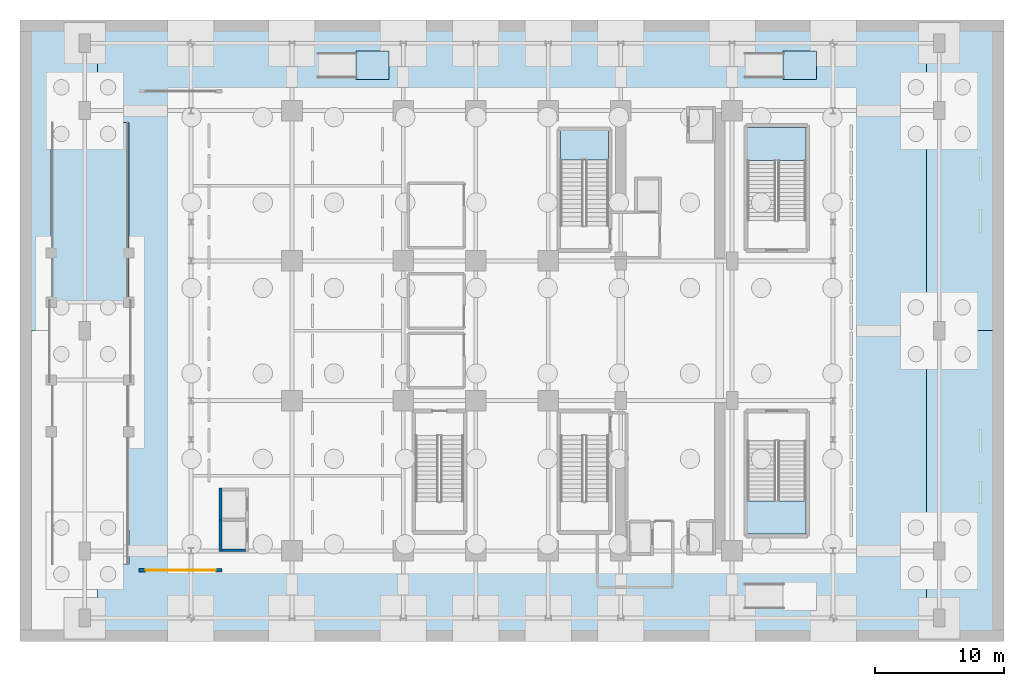
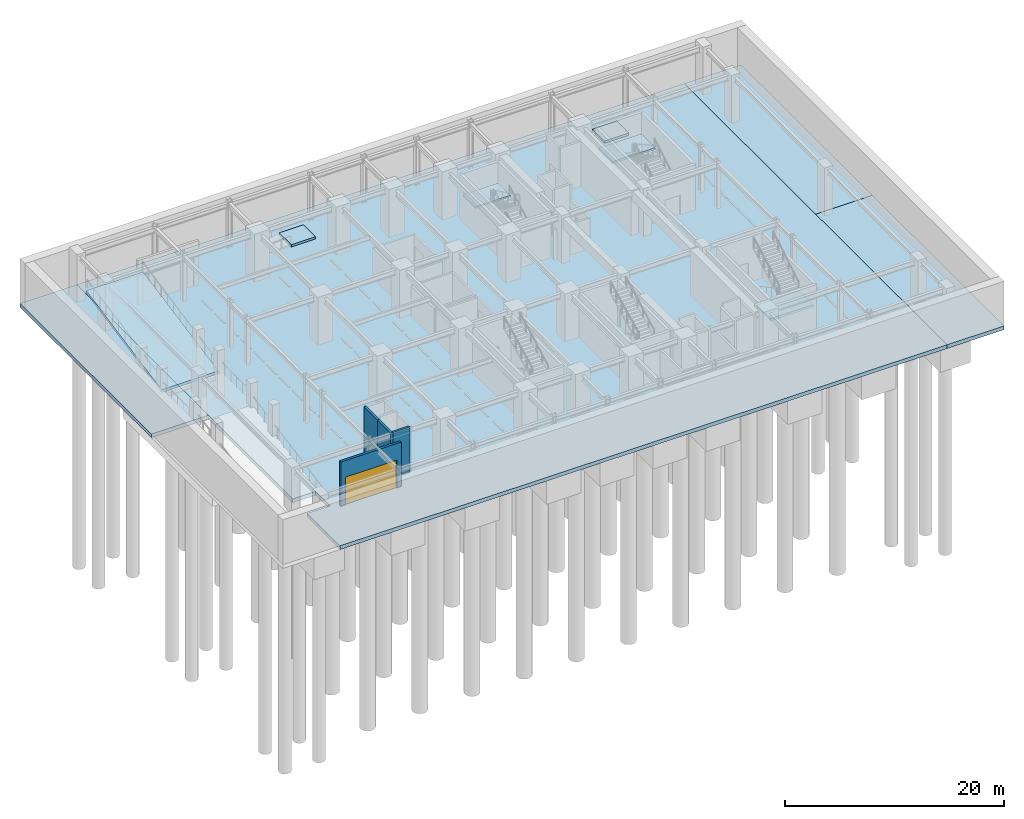
# One storey, part 5 of 14: 10 slabs, 4 walls, 1 door, 1 opening, 3 elements without a shape of their own.
"""IFC4 building model written with IfcOpenShell, lengths in metres."""

import ifcopenshell
import ifcopenshell.guid

model = None  # the IFC model being written
_history = None  # IfcOwnerHistory: only IFC2X3 demands one
_inside = {}  # id of a spatial element -> (the spatial element, [elements in it])
_under = {}  # id of a project, library or spatial element -> (it, [spatial elements below it])
_declared = {}  # id of a project -> (the project, [libraries it declares])
_typed = {}  # id of a type object -> (the type object, [elements of that type])
_made_of = {}  # id of a material, layer set ... -> (it, [elements and type objects made of it])


def new_model(schema):
    """Start an empty IFC model of exactly this schema.

    Asked for "IFC4X3", IfcOpenShell would pick the latest addendum, in which some entities
    have other attributes; the version numbers below select the first issue.
    IFC2X3 requires an IfcOwnerHistory on every rooted entity: one is made here for all.
    """
    global model, _history
    if schema == "IFC4X3":
        model = ifcopenshell.file(schema_version=(4, 3, 0, 0))
    else:
        model = ifcopenshell.file(schema=schema)
    _inside.clear()
    _under.clear()
    _declared.clear()
    _typed.clear()
    _made_of.clear()
    _history = None
    if model.schema == "IFC2X3":
        org = make("IfcOrganization", Name="unknown")
        user = make(
            "IfcPersonAndOrganization",
            ThePerson=make("IfcPerson", FamilyName="unknown"),
            TheOrganization=org,
        )
        app = make(
            "IfcApplication",
            ApplicationDeveloper=org,
            Version="unknown",
            ApplicationFullName="unknown",
            ApplicationIdentifier="unknown",
        )
        _history = make(
            "IfcOwnerHistory",
            OwningUser=user,
            OwningApplication=app,
            ChangeAction="ADDED",
            CreationDate=0,
        )
    return model


def make(cls, **values):
    """One entity of the class cls with the attributes given. An attribute that is None is left unset."""
    return model.create_entity(
        cls, **{name: value for name, value in values.items() if value is not None}
    )


def rooted(cls, **values):
    """An entity with a GlobalId (a new one), such as an element, a storey or a relation."""
    return make(cls, GlobalId=ifcopenshell.guid.new(), OwnerHistory=_history, **values)


def si_unit(unit_type, name, prefix=None):
    """IfcSIUnit, for example si_unit("LENGTHUNIT", "METRE", prefix="MILLI")."""
    return make("IfcSIUnit", UnitType=unit_type, Prefix=prefix, Name=name)


def assignment(units):
    """IfcUnitAssignment: the units of a project."""
    return None if units is None else make("IfcUnitAssignment", Units=units)


def point(xyz):
    """IfcCartesianPoint."""
    return None if xyz is None else make("IfcCartesianPoint", Coordinates=xyz)


def direction(xyz):
    """IfcDirection."""
    return None if xyz is None else make("IfcDirection", DirectionRatios=xyz)


def frame(location, z_axis=None, x_axis=None):
    """IfcAxis2Placement3D, a coordinate frame: its origin and axes. An axis left out is left unset."""
    return make(
        "IfcAxis2Placement3D",
        Location=point(location),
        Axis=direction(z_axis),
        RefDirection=direction(x_axis),
    )


def frame_2d(location, x_axis=None):
    """IfcAxis2Placement2D, a coordinate frame in the plane: its origin and x axis."""
    return make(
        "IfcAxis2Placement2D", Location=point(location), RefDirection=direction(x_axis)
    )


def origin():
    """The frame at (0, 0, 0) with its axes left unset."""
    return frame((0.0, 0.0, 0.0))


def place(relative_to, where):
    """IfcLocalPlacement: puts the frame where relative to a parent placement (None: the world)."""
    return make(
        "IfcLocalPlacement", PlacementRelTo=relative_to, RelativePlacement=where
    )


def context(
    kind, dimensions, precision=None, world=None, true_north=None, identifier=None
):
    """IfcGeometricRepresentationContext, for example the 3D "Model" context."""
    return make(
        "IfcGeometricRepresentationContext",
        ContextIdentifier=identifier,
        ContextType=kind,
        CoordinateSpaceDimension=dimensions,
        Precision=precision,
        WorldCoordinateSystem=world,
        TrueNorth=true_north,
    )


def subcontext(parent, identifier, kind, view, scale=None):
    """IfcGeometricRepresentationSubContext, for example "Body" below "Model"."""
    return make(
        "IfcGeometricRepresentationSubContext",
        ContextIdentifier=identifier,
        ContextType=kind,
        ParentContext=parent,
        TargetScale=scale,
        TargetView=view,
    )


def project(units=None, contexts=None):
    """IfcProject with its units and contexts."""
    return rooted(
        "IfcProject",
        Name="project",
        RepresentationContexts=contexts,
        UnitsInContext=assignment(units),
    )


def spatial(cls, under=None, at=None, **own):
    """A site, building, storey or space (cls), placed at a placement, below another one or the project."""
    s = rooted(cls, ObjectPlacement=at, **own)
    if under is not None:
        _under.setdefault(under.id(), (under, []))[1].append(s)
    return s


def polyline(points):
    """IfcPolyline through the points."""
    return make("IfcPolyline", Points=[point(p) for p in points])


def profile(cls, at=None, kind="AREA", **sizes):
    """A parametric profile (cls). Its sizes go by their IFC names, for example OverallWidth=200.0."""
    return make(cls, ProfileType=kind, Position=at, **sizes)


def rectangle(**sizes):
    """IfcRectangleProfileDef."""
    return profile("IfcRectangleProfileDef", **sizes)


def outline(outer, holes=None, kind="AREA"):
    """IfcArbitraryClosedProfileDef: a profile drawn as a closed curve; with holes, ...WithVoids."""
    if holes is None:
        return make("IfcArbitraryClosedProfileDef", ProfileType=kind, OuterCurve=outer)
    return make(
        "IfcArbitraryProfileDefWithVoids",
        ProfileType=kind,
        OuterCurve=outer,
        InnerCurves=holes,
    )


def extrude(swept, where, along, depth):
    """IfcExtrudedAreaSolid: the profile swept, set in the frame where, extruded along a direction by depth."""
    return make(
        "IfcExtrudedAreaSolid",
        SweptArea=swept,
        Position=where,
        ExtrudedDirection=direction(along),
        Depth=depth,
    )


def shape(context_of_items, identifier, shape_type, items):
    """IfcShapeRepresentation: the items that make up one representation, for example the "Body"."""
    return make(
        "IfcShapeRepresentation",
        ContextOfItems=context_of_items,
        RepresentationIdentifier=identifier,
        RepresentationType=shape_type,
        Items=items,
    )


def source(mapping_origin, context_of_items, identifier, shape_type, items):
    """IfcRepresentationMap: a shape defined once, which mapped items show again and again."""
    return make(
        "IfcRepresentationMap",
        MappingOrigin=mapping_origin,
        MappedRepresentation=shape(context_of_items, identifier, shape_type, items),
    )


def transform(
    local_origin,
    x_axis=None,
    y_axis=None,
    z_axis=None,
    scale=None,
    scale2=None,
    scale3=None,
    uniform=True,
):
    """IfcCartesianTransformationOperator3D, or its non-uniform kind. x_axis, y_axis, z_axis: its Axis1, 2, 3."""
    if uniform:
        return make(
            "IfcCartesianTransformationOperator3D",
            Axis1=direction(x_axis),
            Axis2=direction(y_axis),
            LocalOrigin=point(local_origin),
            Scale=scale,
            Axis3=direction(z_axis),
        )
    return make(
        "IfcCartesianTransformationOperator3DnonUniform",
        Axis1=direction(x_axis),
        Axis2=direction(y_axis),
        LocalOrigin=point(local_origin),
        Scale=scale,
        Axis3=direction(z_axis),
        Scale2=scale2,
        Scale3=scale3,
    )


def mapped(mapping_source, mapping_target):
    """IfcMappedItem: shows the shape of a source again, moved by a transform."""
    return make(
        "IfcMappedItem", MappingSource=mapping_source, MappingTarget=mapping_target
    )


def material(Name=None, Category=None):
    """IfcMaterial."""
    return make("IfcMaterial", Name=Name, Category=Category)


def layer(
    of_material, thickness, ventilated=None, Name=None, Category=None, Priority=None
):
    """IfcMaterialLayer: one layer of a wall or slab, of a material (None: an air gap)."""
    return make(
        "IfcMaterialLayer",
        Material=of_material,
        LayerThickness=thickness,
        IsVentilated=ventilated,
        Name=Name,
        Category=Category,
        Priority=Priority,
    )


def layer_set(layers, Name=None):
    """IfcMaterialLayerSet."""
    return make("IfcMaterialLayerSet", MaterialLayers=layers, LayerSetName=Name)


def made_of(thing, what):
    """Note that an element or type object is made of a material, layer set ...; save() writes the relation."""
    if what is not None:
        _made_of.setdefault(what.id(), (what, []))[1].append(thing)
    return thing


def type_object(cls, material=None, **own):
    """A type object (cls), such as IfcWallType, which elements share."""
    return made_of(rooted(cls, **own), material)


def element(
    cls,
    number,
    at=None,
    inside=None,
    cuts=None,
    type_object=None,
    material=None,
    context=None,
    identifier="Body",
    shape_type=None,
    held_by="IfcProductDefinitionShape",
    body=None,
    shapes=None,
    **own,
):
    """One element of the class cls, such as IfcWall. Its Tag is "e" and its number.

    at: its placement. inside: the storey or other place that contains it. cuts: it is an
    opening in that element (IfcRelVoidsElement). A single representation is given by context,
    identifier, shape_type and body (its items); several are given by shapes. held_by: the class
    of the entity that holds the representations. save() writes the other relations.
    """
    e = rooted(cls, Tag="e%d" % number, ObjectPlacement=at, **own)
    if body is not None:
        shapes = [shape(context, identifier, shape_type, body)]
    if shapes is not None:
        e.Representation = make(held_by, Representations=shapes)
    if inside is not None:
        _inside.setdefault(inside.id(), (inside, []))[1].append(e)
    if cuts is not None:
        rooted(
            "IfcRelVoidsElement", RelatingBuildingElement=cuts, RelatedOpeningElement=e
        )
    if type_object is not None:
        _typed.setdefault(type_object.id(), (type_object, []))[1].append(e)
    return made_of(e, material)


def fill(opening, filler):
    """IfcRelFillsElement: the door or window that sits in an opening."""
    return rooted(
        "IfcRelFillsElement",
        RelatingOpeningElement=opening,
        RelatedBuildingElement=filler,
    )


def aggregate(whole, parts):
    """IfcRelAggregates: a whole, such as a stair, and the parts it consists of."""
    return rooted("IfcRelAggregates", RelatingObject=whole, RelatedObjects=parts)


def save(model, path):
    """Write the relations noted so far, then the file.

    IfcRelAggregates (storeys below a building ...), IfcRelContainedInSpatialStructure (elements
    in a storey), IfcRelDefinesByType, IfcRelAssociatesMaterial and IfcRelDeclares: one each for
    every whole, place, type object, material and project.
    """
    for whole, parts in _under.values():
        aggregate(whole, parts)
    for where, things in _inside.values():
        rooted(
            "IfcRelContainedInSpatialStructure",
            RelatedElements=things,
            RelatingStructure=where,
        )
    for kind, things in _typed.values():
        rooted("IfcRelDefinesByType", RelatedObjects=things, RelatingType=kind)
    for what, things in _made_of.values():
        rooted("IfcRelAssociatesMaterial", RelatedObjects=things, RelatingMaterial=what)
    for by, libraries in _declared.values():
        rooted("IfcRelDeclares", RelatingContext=by, RelatedDefinitions=libraries)
    model.write(path)


model = new_model("IFC4")

# Units and contexts
model_context = context("Model", 3, precision=1e-05, world=origin(), true_north=direction((0.0, 1.0)))
body_context = subcontext(model_context, "Body", "Model", "MODEL_VIEW")
ifc_project = project(units=[si_unit("LENGTHUNIT", "METRE"), si_unit("AREAUNIT", "SQUARE_METRE"), si_unit("VOLUMEUNIT", "CUBIC_METRE"), si_unit("PLANEANGLEUNIT", "RADIAN"), si_unit("MASSUNIT", "GRAM", prefix="KILO")], contexts=[model_context])

# Site, building, storey
site_placement = place(None, origin())
site = spatial("IfcSite", under=ifc_project, at=site_placement, CompositionType="ELEMENT")
building_placement = place(site_placement, origin())
building = spatial("IfcBuilding", under=site, at=building_placement, Name="Nahalor Promenade Grand Hotel", CompositionType="ELEMENT")
storey_placement = place(building_placement, frame((0.0, 0.0, -10.800048828125)))
storey = spatial("IfcBuildingStorey", under=building, at=storey_placement, Name="B02", CompositionType="ELEMENT", Elevation=-10.800048828125)

# Stair, slab
ifc_material_1 = material(Name="Concrete B-50 (C40/50)", Category="concrete")
stair_type_1 = type_object("IfcStairType", Name="Stair-ST1", PredefinedType="HALF_TURN_STAIR", material=ifc_material_1)
stair_1_placement = place(storey_placement, origin())
stair_1 = element("IfcStair", 1, at=stair_1_placement, inside=storey, type_object=stair_type_1, Name="B02 ST1", PredefinedType="HALF_TURN_STAIR")
ifc_layer_1 = layer(ifc_material_1, 0.199951171875)
ifc_layer_set_1 = layer_set([ifc_layer_1], Name="Concrete B-50 (C40/50)")
slab_type_1 = type_object("IfcSlabType", Name="Landing-ST1", PredefinedType="LANDING", material=ifc_layer_set_1)
slab_1_placement = place(storey_placement, frame((0.0, 0.0, 2.5)))
slab_1 = element("IfcSlab", 2, at=slab_1_placement, type_object=slab_type_1, Name="ST1 landing 1", PredefinedType="LANDING", context=body_context, shape_type="SweptSolid", body=[
    extrude(outline(polyline([(7.449951171875, 13.199951171875), (7.449951171875, 15.449951171875), (3.75, 15.449951171875), (3.75, 13.199951171875), (7.449951171875, 13.199951171875)])), origin(), (0.0, 0.0, 1.0), 0.199951171875),
])
aggregate(stair_1, [slab_1])

stair_type_2 = type_object("IfcStairType", Name="Stair-ST4", PredefinedType="HALF_TURN_STAIR", material=ifc_material_1)
stair_2_placement = place(storey_placement, origin())
stair_2 = element("IfcStair", 3, at=stair_2_placement, inside=storey, type_object=stair_type_2, Name="B02 ST4", PredefinedType="HALF_TURN_STAIR")
ifc_layer_2 = layer(ifc_material_1, 0.239990234375)
ifc_layer_set_2 = layer_set([ifc_layer_2], Name="Concrete B-50 (C40/50)")
slab_type_2 = type_object("IfcSlabType", Name="Landing-ST4", PredefinedType="LANDING", material=ifc_layer_set_2)
slab_2_placement = place(storey_placement, frame((0.0, 0.0, 2.4599609375)))
slab_2 = element("IfcSlab", 4, at=slab_2_placement, type_object=slab_type_2, Name="ST4 landing 1", PredefinedType="LANDING", context=body_context, shape_type="SweptSolid", body=[
    extrude(outline(polyline([(22.699951171875, 13.14990234375), (22.699951171875, 15.699951171875), (18.199951171875, 15.699951171875), (18.199951171875, 13.14990234375), (22.699951171875, 13.14990234375)])), origin(), (0.0, 0.0, 1.0), 0.239990234375),
])
aggregate(stair_2, [slab_2])

stair_type_3 = type_object("IfcStairType", Name="Stair-ST5", PredefinedType="HALF_TURN_STAIR", material=ifc_material_1)
stair_3_placement = place(storey_placement, origin())
stair_3 = element("IfcStair", 5, at=stair_3_placement, inside=storey, type_object=stair_type_3, Name="B02 ST5", PredefinedType="HALF_TURN_STAIR")
ifc_layer_3 = layer(ifc_material_1, 0.25)
ifc_layer_set_3 = layer_set([ifc_layer_3], Name="Concrete B-50 (C40/50)")
slab_type_3 = type_object("IfcSlabType", Name="Landing-ST5", PredefinedType="LANDING", material=ifc_layer_set_3)
slab_3_placement = place(storey_placement, frame((0.0, 0.0, 2.449951171875)))
slab_3 = element("IfcSlab", 6, at=slab_3_placement, type_object=slab_type_3, Name="ST5 landing 1", PredefinedType="LANDING", context=body_context, shape_type="SweptSolid", body=[
    extrude(outline(polyline([(18.199951171875, -13.14990234375), (18.199951171875, -15.699951171875), (22.699951171875, -15.699951171875), (22.699951171875, -13.14990234375), (18.199951171875, -13.14990234375)])), origin(), (0.0, 0.0, 1.0), 0.25),
])
aggregate(stair_3, [slab_3])

# Slabs
ifc_layer_4 = layer(ifc_material_1, 0.419921875)
ifc_layer_set_4 = layer_set([ifc_layer_4], Name="Concrete B-50 (C40/50)")
slab_type_4 = type_object("IfcSlabType", Name="Slab-BaseTopping-420", PredefinedType="BASESLAB", material=ifc_layer_set_4)
slab_4_placement = place(storey_placement, frame((0.0, 0.0, -0.419921875)))
element("IfcSlab", 7, at=slab_4_placement, inside=storey, type_object=slab_type_4, Name="B02 Structural Base Slab SL-B02-C", PredefinedType="BASESLAB", context=body_context, shape_type="SweptSolid", body=[
    extrude(outline(polyline([(-32.0, -24.0), (32.0, -24.0), (32.0, 24.0), (-32.0, 24.0), (-32.0, -15.39990234375), (-29.580078125, -15.39990234375), (-29.580078125, -18.02001953125), (-32.0, -18.02001953125), (-32.0, -24.0)])), origin(), (0.0, 0.0, 1.0), 0.419921875),
])
slab_5_placement = place(storey_placement, frame((0.0, 0.0, -0.419921875)))
element("IfcSlab", 8, at=slab_5_placement, inside=storey, type_object=slab_type_4, Name="B02 Structural Base Slab SL-B02-NW", PredefinedType="BASESLAB", context=body_context, shape_type="SweptSolid", body=[
    extrude(outline(polyline([(-38.0, 0.0), (-32.0, 0.0), (-32.0, 24.0), (-38.0, 24.0), (-38.0, 0.0)])), origin(), (0.0, 0.0, 1.0), 0.419921875),
])
slab_6_placement = place(storey_placement, frame((0.0, 0.0, -0.419921875)))
element("IfcSlab", 9, at=slab_6_placement, inside=storey, type_object=slab_type_4, Name="B02 Structural Base Slab SL-B02-SE", PredefinedType="BASESLAB", context=body_context, shape_type="SweptSolid", body=[
    extrude(outline(polyline([(32.0, -24.0), (38.0, -24.0), (38.0, 0.0), (32.0, 0.0), (32.0, -24.0)])), origin(), (0.0, 0.0, 1.0), 0.419921875),
])
slab_7_placement = place(storey_placement, frame((0.0, 0.0, -0.419921875)))
element("IfcSlab", 10, at=slab_7_placement, inside=storey, type_object=slab_type_4, Name="B02 Structural Base Slab SL-B02-NE", PredefinedType="BASESLAB", context=body_context, shape_type="SweptSolid", body=[
    extrude(outline(polyline([(32.0, 0.0), (38.0, 0.0), (38.0, 24.0), (32.0, 24.0), (32.0, 0.0)])), origin(), (0.0, 0.0, 1.0), 0.419921875),
])
slab_8_placement = place(storey_placement, origin())
element("IfcSlab", 11, at=slab_8_placement, inside=storey, type_object=slab_type_4, Name="B02 Equipment Plinth Landing 2", PredefinedType="BASESLAB", context=body_context, shape_type="SweptSolid", body=[
    extrude(outline(polyline([(20.93994140625, 19.39990234375), (23.5, 19.39990234375), (23.5, 21.60009765625), (20.93994140625, 21.60009765625), (20.93994140625, 19.39990234375)])), origin(), (0.0, 0.0, 1.0), 0.25),
])
slab_9_placement = place(storey_placement, origin())
element("IfcSlab", 12, at=slab_9_placement, inside=storey, type_object=slab_type_4, Name="B02 Equipment Plinth Landing 3", PredefinedType="BASESLAB", context=body_context, shape_type="SweptSolid", body=[
    extrude(outline(polyline([(-12.06005859375, 19.39990234375), (-9.5, 19.39990234375), (-9.5, 21.60009765625), (-12.06005859375, 21.60009765625), (-12.06005859375, 19.39990234375)])), origin(), (0.0, 0.0, 1.0), 0.25),
])
ifc_layer_5 = layer(ifc_material_1, 0.300048828125)
ifc_layer_set_5 = layer_set([ifc_layer_5], Name="Concrete B-50 (C40/50)")
slab_type_5 = type_object("IfcSlabType", Name="Slab-VehRamp-300", PredefinedType="FLOOR", material=ifc_layer_set_5)
slab_10_placement = place(storey_placement, frame((-35.60009765625, 2.300048828125, 2.699951171875), z_axis=(0.0, -0.19229299299, 0.981337559073), x_axis=(1.0, 0.0, 0.0)))
element("IfcSlab", 13, at=slab_10_placement, inside=storey, type_object=slab_type_5, Name="Basement Car Park Vehicle Ramp B02 Upper Slab", PredefinedType="FLOOR", context=body_context, shape_type="SweptSolid", body=[
    extrude(outline(polyline([(0.0, 0.0), (6.0, 0.0), (6.0, 14.042088952445084), (0.0, 14.042088952445084), (0.0, 0.0)])), origin(), (0.0, -0.19229299299, -0.981337559073), 0.3056640625),
])

# Walls
ifc_layer_6 = layer(ifc_material_1, 0.219970703125)
ifc_layer_set_6 = layer_set([ifc_layer_6], Name="Concrete B-50 (C40/50)")
wall_type_1 = type_object("IfcWallType", Name="Wall-LiftShaft-220", PredefinedType="SHEAR", material=ifc_layer_set_6)
shared_shape_1 = source(origin(), body_context, "Body", "SweptSolid", [
    extrude(rectangle(XDim=2.4599609375, YDim=0.219970703125, at=frame_2d((1.22998046875, 0.0))), origin(), (0.0, 0.0, 1.0), 5.050048828125),
])
wall_1_placement = place(storey_placement, frame((-22.52001953125, -17.06005859375, 0.0), z_axis=(0.0, 0.0, 1.0), x_axis=(0.0, 1.0, 0.0)))
element("IfcWall", 14, at=wall_1_placement, inside=storey, type_object=wall_type_1, Name="B02 Lift PD1 Hoistway Wall W", PredefinedType="SHEAR", context=body_context, shape_type="MappedRepresentation", body=[
    mapped(shared_shape_1, transform((0.0, 0.0, 0.0), scale=1.0)),
])
shared_shape_2 = source(origin(), body_context, "Body", "SweptSolid", [
    extrude(rectangle(XDim=1.81982421875, YDim=0.219970703125, at=frame_2d((0.909912109375, 0.0))), origin(), (0.0, 0.0, 1.0), 5.050048828125),
])
wall_2_placement = place(storey_placement, frame((-22.409912109375, -16.949951171875, 0.0), z_axis=(0.0, 0.0, 1.0), x_axis=(1.0, 0.0, 0.0)))
element("IfcWall", 15, at=wall_2_placement, inside=storey, type_object=wall_type_1, Name="B02 Lift PD1 Hoistway Wall S", PredefinedType="SHEAR", context=body_context, shape_type="MappedRepresentation", body=[
    mapped(shared_shape_2, transform((0.0, 0.0, 0.0), scale=1.0)),
])
shared_shape_3 = source(origin(), body_context, "Body", "SweptSolid", [
    extrude(rectangle(XDim=2.460205078125, YDim=0.219970703125, at=frame_2d((1.22998046875, 0.0))), origin(), (0.0, 0.0, 1.0), 5.050048828125),
])
wall_3_placement = place(storey_placement, frame((-22.52001953125, -14.60009765625, 0.0), z_axis=(0.0, 0.0, 1.0), x_axis=(0.0, 1.0, 0.0)))
element("IfcWall", 16, at=wall_3_placement, inside=storey, type_object=wall_type_1, Name="B02 Lift PD2 Hoistway Wall W", PredefinedType="SHEAR", context=body_context, shape_type="MappedRepresentation", body=[
    mapped(shared_shape_3, transform((0.0, 0.0, 0.0), scale=1.0)),
])

# Wall, opening, door
ifc_layer_7 = layer(ifc_material_1, 0.25)
ifc_layer_set_7 = layer_set([ifc_layer_7], Name="Concrete B-50 (C40/50)")
wall_type_2 = type_object("IfcWallType", Name="Wall-RampKerb-250", PredefinedType="PARTITIONING", material=ifc_layer_set_7)
shared_shape_4 = source(origin(), body_context, "Body", "SweptSolid", [
    extrude(rectangle(XDim=6.400146484375, YDim=0.25, at=frame_2d((3.2001953125, 0.0))), origin(), (0.0, 0.0, 1.0), 4.949951171875),
])
wall_4_placement = place(storey_placement, frame((-28.800048828125, -18.5, 0.0), z_axis=(0.0, 0.0, 1.0), x_axis=(1.0, 0.0, 0.0)))
wall_4 = element("IfcWall", 17, at=wall_4_placement, inside=storey, type_object=wall_type_2, Name="B02 Car Park Smoke Compartment Wall 1", PredefinedType="PARTITIONING", context=body_context, shape_type="MappedRepresentation", body=[
    mapped(shared_shape_4, transform((0.0, 0.0, 0.0), scale=1.0)),
])
opening_placement = place(wall_4_placement, frame((0.5, 0.0, 0.0)))
opening = element("IfcOpeningElement", 18, at=opening_placement, cuts=wall_4, Name="Opening RG-01", PredefinedType="OPENING", context=body_context, shape_type="SweptSolid", body=[
    extrude(rectangle(XDim=5.39990234375, YDim=3.10009765625, at=frame_2d((2.699951171875, 1.550048828125))), frame((0.0, 0.135009765625, 0.0), z_axis=(0.0, -1.0, 0.0), x_axis=(1.0, 0.0, 0.0)), (0.0, 0.0, 1.0), 0.27001953125),
])
ifc_material_2 = material(Name="Steel S355JR", Category="steel")
door_type = type_object("IfcDoorType", Name="Door-BasementGate-5400", OperationType="ROLLINGUP", PredefinedType="GATE", material=ifc_material_2)
shared_shape_5 = source(origin(), body_context, "Body", "SweptSolid", [
    extrude(rectangle(XDim=5.39990234375, YDim=3.10009765625, at=frame_2d((2.699951171875, 1.550048828125))), frame((0.0, 0.02490234375, 0.0), z_axis=(0.0, -1.0, 0.0), x_axis=(1.0, 0.0, 0.0)), (0.0, 0.0, 1.0), 0.050048828125),
])
door_placement = place(opening_placement, origin())
door = element("IfcDoor", 19, at=door_placement, inside=storey, type_object=door_type, Name="DR-BGATE-B02-1", OperationType="ROLLINGUP", OverallHeight=3.10009765625, OverallWidth=5.39990234375, PredefinedType="GATE", context=body_context, shape_type="MappedRepresentation", body=[
    mapped(shared_shape_5, transform((0.0, 0.0, 0.0), scale=1.0)),
])
fill(opening, door)

save(model, "model.ifc")
